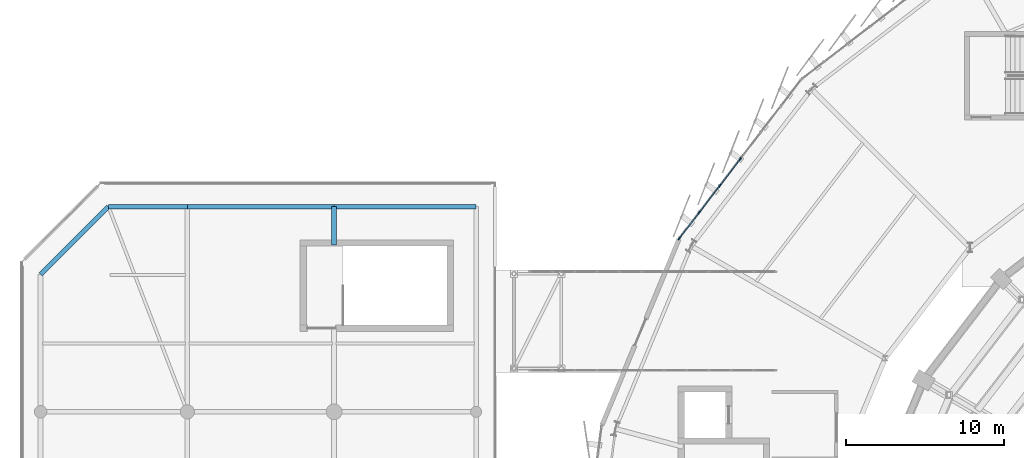
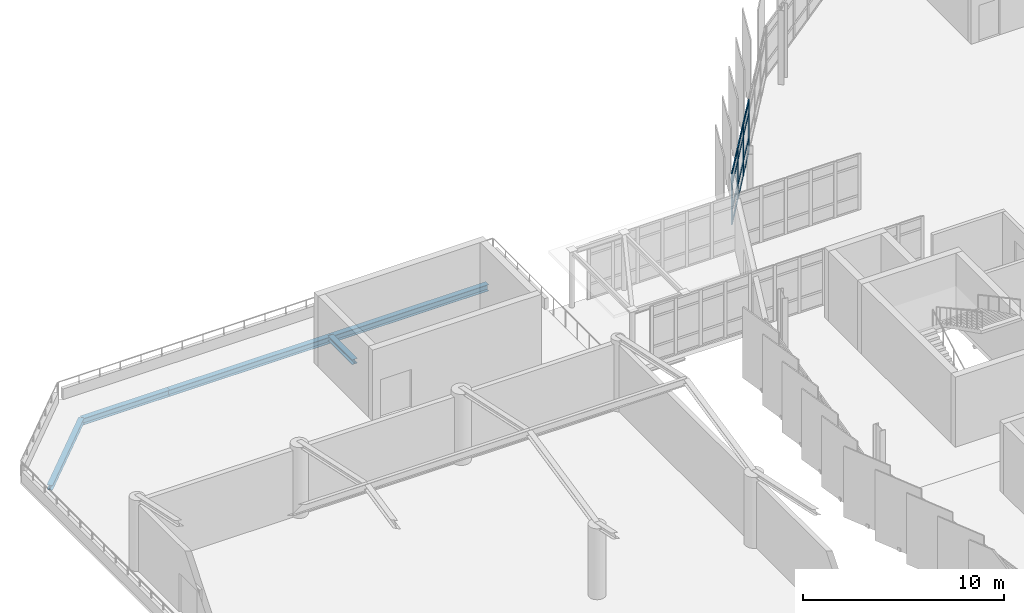
# One storey, part 46 of 120: 16 members, 5 beams, 1 element without a shape of its own.
"""IFC4 building model written with IfcOpenShell, lengths in metres."""

from ifc_helpers import new_model, si_unit, direction, frame, origin, origin_2d, place, context, subcontext, project, spatial, rectangle, i_section, extrude, material, layer, layer_set, material_profile, profile_set, type_object, element, aggregate, save


model = new_model("IFC4")

# Units and contexts
model_context = context("Model", 3, precision=1e-05, world=origin(), true_north=direction((0.0, 1.0)))
body_context = subcontext(model_context, "Body", "Model", "MODEL_VIEW")
ifc_project = project(units=[si_unit("LENGTHUNIT", "METRE"), si_unit("AREAUNIT", "SQUARE_METRE"), si_unit("VOLUMEUNIT", "CUBIC_METRE"), si_unit("PLANEANGLEUNIT", "RADIAN"), si_unit("MASSUNIT", "GRAM", prefix="KILO")], contexts=[model_context])

# Site, building, storey
site_placement = place(None, origin())
site = spatial("IfcSite", under=ifc_project, at=site_placement, CompositionType="ELEMENT")
building_placement = place(site_placement, origin())
building = spatial("IfcBuilding", under=site, at=building_placement, Name="Sohan Crest Arena", CompositionType="ELEMENT")
storey_placement = place(building_placement, frame((0.0, 0.0, 13.5)))
storey = spatial("IfcBuildingStorey", under=building, at=storey_placement, Name="L03", CompositionType="ELEMENT", Elevation=13.5)

# Curtain wall, members
ifc_material_1 = material(Name="Thermally broken anodised aluminium", Category="aluminium")
ifc_layer = layer(ifc_material_1, 0.239990234375, Name="Thermally broken anodised aluminium")
ifc_layer_set = layer_set([ifc_layer], Name="Thermally broken anodised aluminium")
curtain_wall_type = type_object("IfcCurtainWallType", Name="ARC-CW04", PredefinedType="NOTDEFINED", material=ifc_layer_set)
curtain_wall_placement = place(storey_placement, origin())
curtain_wall = element("IfcCurtainWall", 1, at=curtain_wall_placement, inside=storey, type_object=curtain_wall_type, Name="Unitised curtain wall CW-083", PredefinedType="NOTDEFINED")
ifc_material_profile_1 = material_profile(ifc_material_1, rectangle(XDim=0.074951171875, YDim=0.219970703125, at=origin_2d()), Name="ALU-MULL 75x220")
ifc_profile_set_1 = profile_set([ifc_material_profile_1], Name="Thermally broken anodised aluminium")
member_type_1 = type_object("IfcMemberType", Name="ARC-CW-ML04", PredefinedType="MULLION", material=ifc_profile_set_1)
member_1_placement = place(storey_placement, frame((59.53662109375, 107.513916015625, 0.0), z_axis=(0.0, 0.0, 1.0), x_axis=(0.793371792207, -0.608737381249, 0.0)))
member_1 = element("IfcMember", 2, at=member_1_placement, type_object=member_type_1, Name="CW-083 mullion 4", PredefinedType="MULLION", context=body_context, shape_type="SweptSolid", body=[
    extrude(rectangle(XDim=0.074951171875, YDim=0.219970703125, at=origin_2d()), origin(), (0.0, 0.0, 1.0), 3.1201171875),
])
member_2_placement = place(storey_placement, frame((58.241455078125, 105.825927734375, 0.0), z_axis=(0.0, 0.0, 1.0), x_axis=(0.793371792207, -0.608737381249, 0.0)))
member_2 = element("IfcMember", 3, at=member_2_placement, type_object=member_type_1, Name="CW-083 mullion 5", PredefinedType="MULLION", context=body_context, shape_type="SweptSolid", body=[
    extrude(rectangle(XDim=0.074951171875, YDim=0.219970703125, at=origin_2d()), origin(), (0.0, 0.0, 1.0), 3.1201171875),
])
member_3_placement = place(storey_placement, frame((56.946044921875, 104.137939453125, 0.0), z_axis=(0.0, 0.0, 1.0), x_axis=(0.793371792207, -0.608737381249, 0.0)))
member_3 = element("IfcMember", 4, at=member_3_placement, type_object=member_type_1, Name="CW-083 mullion 6", PredefinedType="MULLION", context=body_context, shape_type="SweptSolid", body=[
    extrude(rectangle(XDim=0.074951171875, YDim=0.219970703125, at=origin_2d()), origin(), (0.0, 0.0, 1.0), 3.1201171875),
])
member_4_placement = place(storey_placement, frame((55.673828125, 102.479736328125, 0.0), z_axis=(0.0, 0.0, 1.0), x_axis=(0.793371792207, -0.608737381249, 0.0)))
member_4 = element("IfcMember", 5, at=member_4_placement, type_object=member_type_1, Name="CW-083 mullion 7", PredefinedType="MULLION", context=body_context, shape_type="SweptSolid", body=[
    extrude(rectangle(XDim=0.074951171875, YDim=0.219970703125, at=origin_2d()), origin(), (0.0, 0.0, 1.0), 3.1201171875),
])
ifc_material_profile_2 = material_profile(ifc_material_1, rectangle(XDim=0.06005859375, YDim=0.1201171875, at=origin_2d()), Name="ALU-TRAN 60x120")
ifc_profile_set_2 = profile_set([ifc_material_profile_2], Name="Thermally broken anodised aluminium")
member_type_2 = type_object("IfcMemberType", Name="ARC-CW-TR01", PredefinedType="USERDEFINED", material=ifc_profile_set_2)
member_5_placement = place(storey_placement, frame((59.513671875, 107.484130859375, 0.030029296875), z_axis=(-0.608756112875, -0.793357419476, 0.0), x_axis=(0.793357419476, -0.608756112875, 0.0)))
member_5 = element("IfcMember", 6, at=member_5_placement, type_object=member_type_2, Name="CW-083 transom 4.1", ObjectType="TRANSOM", PredefinedType="USERDEFINED", context=body_context, shape_type="SweptSolid", body=[
    extrude(rectangle(XDim=0.06005859375, YDim=0.1201171875, at=origin_2d()), origin(), (0.0, 0.0, 1.0), 2.052490234375),
])
member_6_placement = place(storey_placement, frame((59.513671875, 107.484130859375, 0.89990234375), z_axis=(-0.608756112875, -0.793357419476, 0.0), x_axis=(0.793357419476, -0.608756112875, 0.0)))
member_6 = element("IfcMember", 7, at=member_6_placement, type_object=member_type_2, Name="CW-083 transom 4.2", ObjectType="TRANSOM", PredefinedType="USERDEFINED", context=body_context, shape_type="SweptSolid", body=[
    extrude(rectangle(XDim=0.06005859375, YDim=0.1201171875, at=origin_2d()), origin(), (0.0, 0.0, 1.0), 2.052490234375),
])
member_7_placement = place(storey_placement, frame((59.513671875, 107.484130859375, 2.419921875), z_axis=(-0.608756112875, -0.793357419476, 0.0), x_axis=(0.793357419476, -0.608756112875, 0.0)))
member_7 = element("IfcMember", 8, at=member_7_placement, type_object=member_type_2, Name="CW-083 transom 4.3", ObjectType="TRANSOM", PredefinedType="USERDEFINED", context=body_context, shape_type="SweptSolid", body=[
    extrude(rectangle(XDim=0.06005859375, YDim=0.1201171875, at=origin_2d()), origin(), (0.0, 0.0, 1.0), 2.052490234375),
])
member_8_placement = place(storey_placement, frame((59.513671875, 107.484130859375, 3.090087890625), z_axis=(-0.608756112875, -0.793357419476, 0.0), x_axis=(0.793357419476, -0.608756112875, 0.0)))
member_8 = element("IfcMember", 9, at=member_8_placement, type_object=member_type_2, Name="CW-083 transom 4.4", ObjectType="TRANSOM", PredefinedType="USERDEFINED", context=body_context, shape_type="SweptSolid", body=[
    extrude(rectangle(XDim=0.06005859375, YDim=0.1201171875, at=origin_2d()), origin(), (0.0, 0.0, 1.0), 2.052490234375),
])
member_9_placement = place(storey_placement, frame((58.218505859375, 105.796142578125, 0.030029296875), z_axis=(-0.608756112875, -0.793357419476, 0.0), x_axis=(0.793357419476, -0.608756112875, 0.0)))
member_9 = element("IfcMember", 10, at=member_9_placement, type_object=member_type_2, Name="CW-083 transom 5.1", ObjectType="TRANSOM", PredefinedType="USERDEFINED", context=body_context, shape_type="SweptSolid", body=[
    extrude(rectangle(XDim=0.06005859375, YDim=0.1201171875, at=origin_2d()), origin(), (0.0, 0.0, 1.0), 2.052490234375),
])
member_10_placement = place(storey_placement, frame((58.218505859375, 105.796142578125, 0.89990234375), z_axis=(-0.608756112875, -0.793357419476, 0.0), x_axis=(0.793357419476, -0.608756112875, 0.0)))
member_10 = element("IfcMember", 11, at=member_10_placement, type_object=member_type_2, Name="CW-083 transom 5.2", ObjectType="TRANSOM", PredefinedType="USERDEFINED", context=body_context, shape_type="SweptSolid", body=[
    extrude(rectangle(XDim=0.06005859375, YDim=0.1201171875, at=origin_2d()), origin(), (0.0, 0.0, 1.0), 2.052490234375),
])
member_11_placement = place(storey_placement, frame((58.218505859375, 105.796142578125, 2.419921875), z_axis=(-0.608756112875, -0.793357419476, 0.0), x_axis=(0.793357419476, -0.608756112875, 0.0)))
member_11 = element("IfcMember", 12, at=member_11_placement, type_object=member_type_2, Name="CW-083 transom 5.3", ObjectType="TRANSOM", PredefinedType="USERDEFINED", context=body_context, shape_type="SweptSolid", body=[
    extrude(rectangle(XDim=0.06005859375, YDim=0.1201171875, at=origin_2d()), origin(), (0.0, 0.0, 1.0), 2.052490234375),
])
member_12_placement = place(storey_placement, frame((58.218505859375, 105.796142578125, 3.090087890625), z_axis=(-0.608756112875, -0.793357419476, 0.0), x_axis=(0.793357419476, -0.608756112875, 0.0)))
member_12 = element("IfcMember", 13, at=member_12_placement, type_object=member_type_2, Name="CW-083 transom 5.4", ObjectType="TRANSOM", PredefinedType="USERDEFINED", context=body_context, shape_type="SweptSolid", body=[
    extrude(rectangle(XDim=0.06005859375, YDim=0.1201171875, at=origin_2d()), origin(), (0.0, 0.0, 1.0), 2.052490234375),
])
member_13_placement = place(storey_placement, frame((56.92333984375, 104.108154296875, 0.030029296875), z_axis=(-0.608726567924, -0.793380088926, 0.0), x_axis=(0.793380088926, -0.608726567924, 0.0)))
member_13 = element("IfcMember", 14, at=member_13_placement, type_object=member_type_2, Name="CW-083 transom 6.1", ObjectType="TRANSOM", PredefinedType="USERDEFINED", context=body_context, shape_type="SweptSolid", body=[
    extrude(rectangle(XDim=0.06005859375, YDim=0.1201171875, at=origin_2d()), origin(), (0.0, 0.0, 1.0), 2.014892578125),
])
member_14_placement = place(storey_placement, frame((56.92333984375, 104.108154296875, 0.89990234375), z_axis=(-0.608726567924, -0.793380088926, 0.0), x_axis=(0.793380088926, -0.608726567924, 0.0)))
member_14 = element("IfcMember", 15, at=member_14_placement, type_object=member_type_2, Name="CW-083 transom 6.2", ObjectType="TRANSOM", PredefinedType="USERDEFINED", context=body_context, shape_type="SweptSolid", body=[
    extrude(rectangle(XDim=0.06005859375, YDim=0.1201171875, at=origin_2d()), origin(), (0.0, 0.0, 1.0), 2.014892578125),
])
member_15_placement = place(storey_placement, frame((56.92333984375, 104.108154296875, 2.419921875), z_axis=(-0.608726567924, -0.793380088926, 0.0), x_axis=(0.793380088926, -0.608726567924, 0.0)))
member_15 = element("IfcMember", 16, at=member_15_placement, type_object=member_type_2, Name="CW-083 transom 6.3", ObjectType="TRANSOM", PredefinedType="USERDEFINED", context=body_context, shape_type="SweptSolid", body=[
    extrude(rectangle(XDim=0.06005859375, YDim=0.1201171875, at=origin_2d()), origin(), (0.0, 0.0, 1.0), 2.014892578125),
])
member_16_placement = place(storey_placement, frame((56.92333984375, 104.108154296875, 3.090087890625), z_axis=(-0.608726567924, -0.793380088926, 0.0), x_axis=(0.793380088926, -0.608726567924, 0.0)))
member_16 = element("IfcMember", 17, at=member_16_placement, type_object=member_type_2, Name="CW-083 transom 6.4", ObjectType="TRANSOM", PredefinedType="USERDEFINED", context=body_context, shape_type="SweptSolid", body=[
    extrude(rectangle(XDim=0.06005859375, YDim=0.1201171875, at=origin_2d()), origin(), (0.0, 0.0, 1.0), 2.014892578125),
])
aggregate(curtain_wall, [member_1, member_2, member_3, member_4, member_5, member_6, member_7, member_8, member_9, member_10, member_11, member_12, member_13, member_14, member_15, member_16])

# Beams
ifc_material_2 = material(Name="Steel S355", Category="steel")
ifc_material_profile_3 = material_profile(ifc_material_2, i_section(OverallWidth=0.300048828125, OverallDepth=0.2900390625, WebThickness=0.008544921875, FlangeThickness=0.013916015625, at=origin_2d()), Name="HEA 300")
ifc_profile_set_3 = profile_set([ifc_material_profile_3], Name="Steel S355")
beam_type_1 = type_object("IfcBeamType", Name="STR-BM-B08", PredefinedType="BEAM", material=ifc_profile_set_3)
beam_1_placement = place(storey_placement, frame((33.800048828125, 102.080078125, -0.4599609375), z_axis=(0.0, 1.0, 0.0), x_axis=(-1.0, 0.0, 0.0)))
element("IfcBeam", 18, at=beam_1_placement, inside=storey, type_object=beam_type_1, Name="Structural beam G-L03-2102", PredefinedType="BEAM", context=body_context, shape_type="SweptSolid", body=[
    extrude(i_section(OverallWidth=0.300048828125, OverallDepth=0.2900390625, WebThickness=0.008544921875, FlangeThickness=0.013916015625, at=origin_2d()), origin(), (0.0, 0.0, 1.0), 2.419921875),
])
beam_2_placement = place(storey_placement, frame((15.199951171875, 100.199951171875, -0.4599609375), z_axis=(0.707106781187, 0.707106781187, 0.0), x_axis=(-0.707106781187, 0.707106781187, 0.0)))
element("IfcBeam", 19, at=beam_2_placement, inside=storey, type_object=beam_type_1, Name="Structural beam G-L03-2143", PredefinedType="BEAM", context=body_context, shape_type="SweptSolid", body=[
    extrude(i_section(OverallWidth=0.300048828125, OverallDepth=0.2900390625, WebThickness=0.008544921875, FlangeThickness=0.013916015625, at=origin_2d()), origin(), (0.0, 0.0, 1.0), 6.081298828125),
])
ifc_material_profile_4 = material_profile(ifc_material_2, i_section(OverallWidth=0.300048828125, OverallDepth=0.389892578125, WebThickness=0.010986328125, FlangeThickness=0.01904296875, at=origin_2d()), Name="HEA 400")
ifc_profile_set_4 = profile_set([ifc_material_profile_4], Name="Steel S355")
beam_type_2 = type_object("IfcBeamType", Name="STR-BM-B09", PredefinedType="BEAM", material=ifc_profile_set_4)
beam_3_placement = place(storey_placement, frame((19.5, 104.5, -0.510009765625), z_axis=(1.0, 0.0, 0.0), x_axis=(0.0, 1.0, 0.0)))
element("IfcBeam", 20, at=beam_3_placement, inside=storey, type_object=beam_type_2, Name="Structural beam G-L03-2139", PredefinedType="BEAM", context=body_context, shape_type="SweptSolid", body=[
    extrude(i_section(OverallWidth=0.300048828125, OverallDepth=0.389892578125, WebThickness=0.010986328125, FlangeThickness=0.01904296875, at=origin_2d()), origin(), (0.0, 0.0, 1.0), 5.0),
])
beam_4_placement = place(storey_placement, frame((24.5, 104.5, -0.510009765625), z_axis=(1.0, 0.0, 0.0), x_axis=(0.0, 1.0, 0.0)))
element("IfcBeam", 21, at=beam_4_placement, inside=storey, type_object=beam_type_2, Name="Structural beam G-L03-2140", PredefinedType="BEAM", context=body_context, shape_type="SweptSolid", body=[
    extrude(i_section(OverallWidth=0.300048828125, OverallDepth=0.389892578125, WebThickness=0.010986328125, FlangeThickness=0.01904296875, at=origin_2d()), origin(), (0.0, 0.0, 1.0), 9.300048828125),
])
beam_5_placement = place(storey_placement, frame((33.800048828125, 104.5, -0.510009765625), z_axis=(1.0, 0.0, 0.0), x_axis=(0.0, 1.0, 0.0)))
element("IfcBeam", 22, at=beam_5_placement, inside=storey, type_object=beam_type_2, Name="Structural beam G-L03-2141", PredefinedType="BEAM", context=body_context, shape_type="SweptSolid", body=[
    extrude(i_section(OverallWidth=0.300048828125, OverallDepth=0.389892578125, WebThickness=0.010986328125, FlangeThickness=0.01904296875, at=origin_2d()), origin(), (0.0, 0.0, 1.0), 9.0),
])

save(model, "model.ifc")
